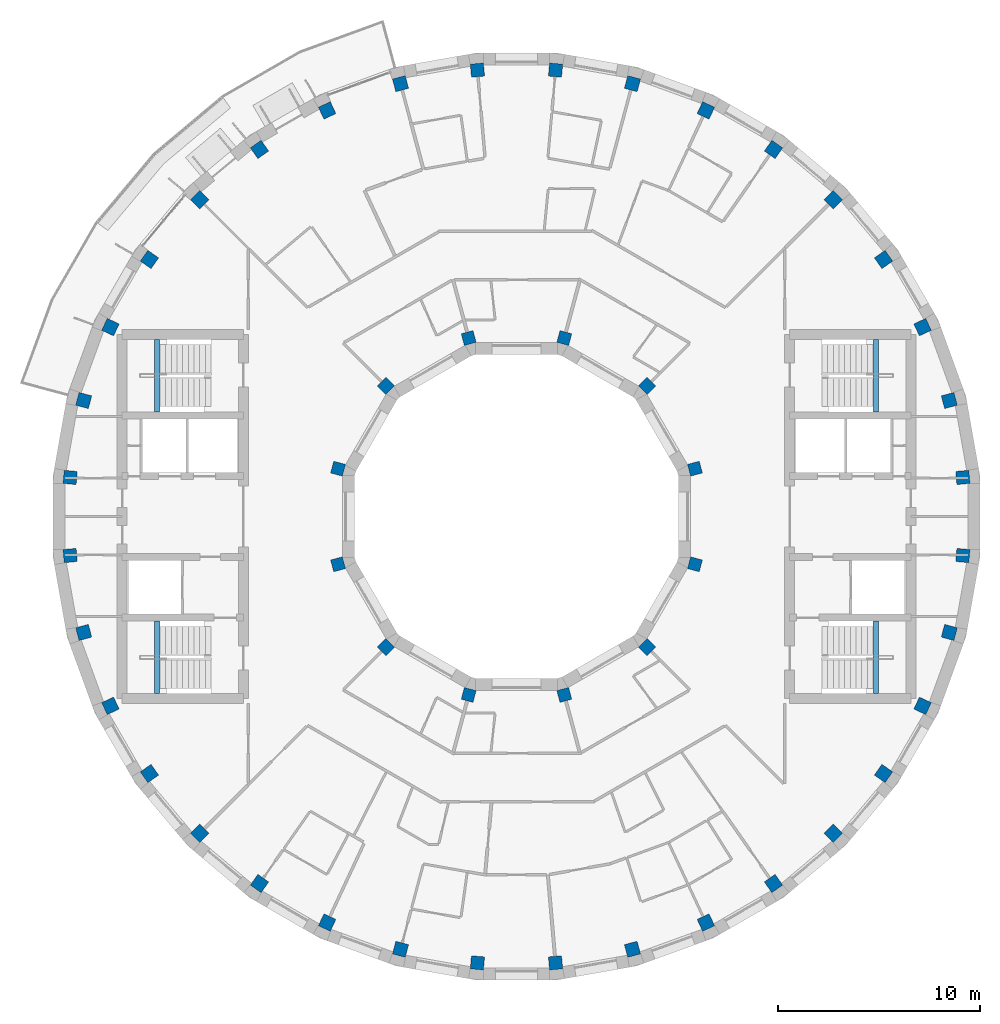
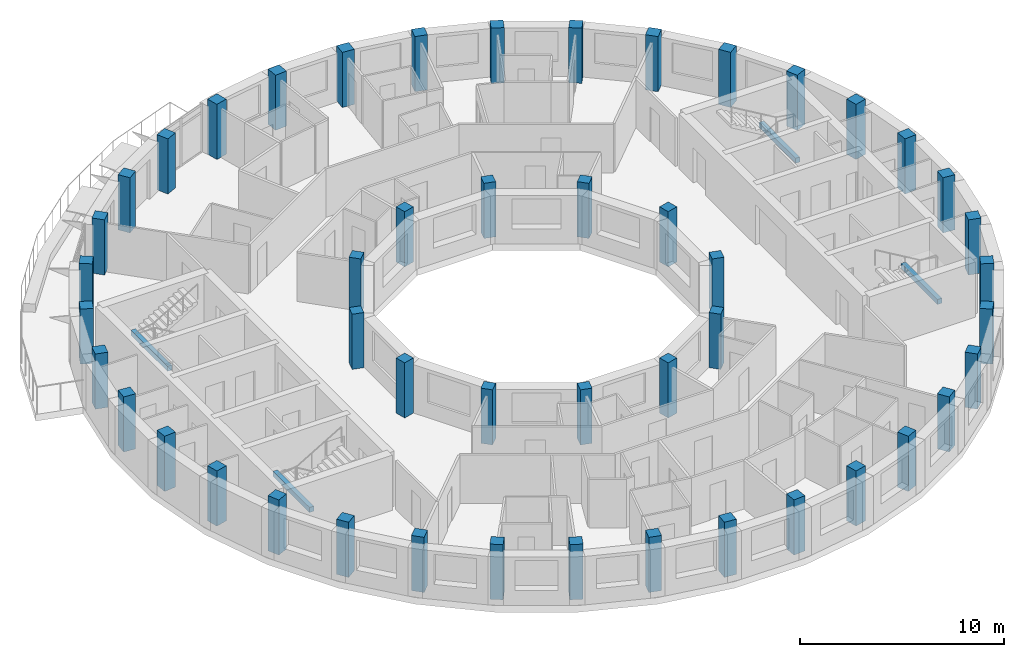
# One storey, part 1 of 12: 48 columns, 4 beams.
"""IFC4 building model written with IfcOpenShell, lengths in metres."""

from ifc_helpers import new_model, si_unit, direction, frame, origin, origin_2d, place, context, subcontext, project, spatial, rectangle, extrude, material, material_profile, profile_set, type_object, element, save


model = new_model("IFC4")

# Units and contexts
model_context = context("Model", 3, precision=1e-05, world=origin(), true_north=direction((0.0, 1.0)))
body_context = subcontext(model_context, "Body", "Model", "MODEL_VIEW")
ifc_project = project(units=[si_unit("LENGTHUNIT", "METRE"), si_unit("AREAUNIT", "SQUARE_METRE"), si_unit("VOLUMEUNIT", "CUBIC_METRE"), si_unit("PLANEANGLEUNIT", "RADIAN"), si_unit("MASSUNIT", "GRAM", prefix="KILO")], contexts=[model_context])

# Site, building, storey
site_placement = place(None, origin())
site = spatial("IfcSite", under=ifc_project, at=site_placement, CompositionType="ELEMENT")
building_placement = place(site_placement, origin())
building = spatial("IfcBuilding", under=site, at=building_placement, Name="Saqina Gate Tower", CompositionType="ELEMENT")
storey_placement = place(building_placement, frame((0.0, 0.0, 229.699951171875)))
storey = spatial("IfcBuildingStorey", under=building, at=storey_placement, Name="L65", CompositionType="ELEMENT", Elevation=229.699951171875)

# Columns
ifc_material_1 = material(Name="Concrete C60/75", Category="concrete")
ifc_material_profile_1 = material_profile(ifc_material_1, rectangle(XDim=0.60009765625, YDim=0.60009765625, at=origin_2d()), Name="RC 600x600")
ifc_profile_set_1 = profile_set([ifc_material_profile_1], Name="Concrete C60/75")
column_type_1 = type_object("IfcColumnType", Name="STR-COL-IN-D", PredefinedType="COLUMN", material=ifc_profile_set_1)
for number, where, z_axis, x_axis, name in (
    (1, (8.821044921875, 2.363525390625, 0.0), (0.0, 0.0, 1.0), (0.965925826289, 0.258819045103, 0.0), "L65-ICL01"),
    (2, (6.45751953125, 6.45751953125, 0.0), (0.0, 0.0, 1.0), (0.707106781187, 0.707106781187, 0.0), "L65-ICL02"),
    (3, (2.363525390625, 8.821044921875, 0.0), (0.0, 0.0, 1.0), (0.258819045103, 0.965925826289, 0.0), "L65-ICL03"),
    (4, (-2.363525390625, 8.821044921875, 0.0), (0.0, 0.0, 1.0), (-0.258819045103, 0.965925826289, 0.0), "L65-ICL04"),
    (5, (-6.45751953125, 6.45751953125, 0.0), (0.0, 0.0, 1.0), (-0.707106781187, 0.707106781187, 0.0), "L65-ICL05"),
    (6, (-8.821044921875, 2.363525390625, 0.0), (0.0, 0.0, 1.0), (-0.965925826289, 0.258819045103, 0.0), "L65-ICL06"),
    (7, (-8.821044921875, -2.363525390625, 0.0), (0.0, 0.0, 1.0), (-0.965925826289, -0.258819045103, 0.0), "L65-ICL07"),
    (8, (-6.45751953125, -6.45751953125, 0.0), (0.0, 0.0, 1.0), (-0.707106781187, -0.707106781187, 0.0), "L65-ICL08"),
    (9, (-2.363525390625, -8.821044921875, 0.0), (0.0, 0.0, 1.0), (-0.258819045103, -0.965925826289, 0.0), "L65-ICL09"),
    (10, (2.363525390625, -8.821044921875, 0.0), (0.0, 0.0, 1.0), (0.258819045103, -0.965925826289, 0.0), "L65-ICL10"),
    (11, (6.45751953125, -6.45751953125, 0.0), (0.0, 0.0, 1.0), (0.707106781187, -0.707106781187, 0.0), "L65-ICL11"),
    (12, (8.821044921875, -2.363525390625, 0.0), (0.0, 0.0, 1.0), (0.965925826289, -0.258819045103, 0.0), "L65-ICL12"),
):
    element("IfcColumn", number, at=place(storey_placement, frame(where, z_axis=z_axis, x_axis=x_axis)), inside=storey, type_object=column_type_1, Name=name, PredefinedType="COLUMN", context=body_context, shape_type="SweptSolid", body=[
        extrude(rectangle(XDim=0.60009765625, YDim=0.60009765625, at=origin_2d()), origin(), (0.0, 0.0, 1.0), 3.300048828125),
    ])
ifc_material_2 = material(Name="Concrete C60/75", Category="concrete")
ifc_material_profile_2 = material_profile(ifc_material_2, rectangle(XDim=0.64990234375, YDim=0.64990234375, at=origin_2d()), Name="RC 650x650")
ifc_profile_set_2 = profile_set([ifc_material_profile_2], Name="Concrete C60/75")
column_type_2 = type_object("IfcColumnType", Name="STR-COL-OUT-D", PredefinedType="COLUMN", material=ifc_profile_set_2)
for number, where, z_axis, x_axis, name in (
    (13, (22.065673828125, 1.930419921875, 0.0), (0.0, 0.0, 1.0), (0.996194698092, 0.087155742748, 0.0), "L65-COL01"),
    (14, (21.395263671875, 5.73291015625, 0.0), (0.0, 0.0, 1.0), (0.965925826289, 0.258819045103, 0.0), "L65-COL02"),
    (15, (20.07470703125, 9.361083984375, 0.0), (0.0, 0.0, 1.0), (0.906307787037, 0.422618261741, 0.0), "L65-COL03"),
    (16, (18.144287109375, 12.704833984375, 0.0), (0.0, 0.0, 1.0), (0.819152044289, 0.573576436351, 0.0), "L65-COL04"),
    (17, (15.662353515625, 15.662353515625, 0.0), (0.0, 0.0, 1.0), (0.707106781187, 0.707106781187, 0.0), "L65-COL05"),
    (18, (12.704833984375, 18.144287109375, 0.0), (0.0, 0.0, 1.0), (0.573576436351, 0.819152044289, 0.0), "L65-COL06"),
    (19, (9.361083984375, 20.07470703125, 0.0), (0.0, 0.0, 1.0), (0.422618261741, 0.906307787037, 0.0), "L65-COL07"),
    (20, (5.73291015625, 21.395263671875, 0.0), (0.0, 0.0, 1.0), (0.258819045103, 0.965925826289, 0.0), "L65-COL08"),
    (21, (1.930419921875, 22.065673828125, 0.0), (0.0, 0.0, 1.0), (0.087155742748, 0.996194698092, 0.0), "L65-COL09"),
    (22, (-1.930419921875, 22.065673828125, 0.0), (0.0, 0.0, 1.0), (-0.087155742748, 0.996194698092, 0.0), "L65-COL10"),
    (23, (-5.73291015625, 21.395263671875, 0.0), (0.0, 0.0, 1.0), (-0.258819045103, 0.965925826289, 0.0), "L65-COL11"),
    (24, (-9.361083984375, 20.07470703125, 0.0), (0.0, 0.0, 1.0), (-0.422618261741, 0.906307787037, 0.0), "L65-COL12"),
    (25, (-12.704833984375, 18.144287109375, 0.0), (0.0, 0.0, 1.0), (-0.573576436351, 0.819152044289, 0.0), "L65-COL13"),
    (26, (-15.662353515625, 15.662353515625, 0.0), (0.0, 0.0, 1.0), (-0.707106781187, 0.707106781187, 0.0), "L65-COL14"),
    (27, (-18.144287109375, 12.704833984375, 0.0), (0.0, 0.0, 1.0), (-0.819152044289, 0.573576436351, 0.0), "L65-COL15"),
    (28, (-20.07470703125, 9.361083984375, 0.0), (0.0, 0.0, 1.0), (-0.906307787037, 0.422618261741, 0.0), "L65-COL16"),
    (29, (-21.395263671875, 5.73291015625, 0.0), (0.0, 0.0, 1.0), (-0.965925826289, 0.258819045103, 0.0), "L65-COL17"),
    (30, (-22.065673828125, 1.930419921875, 0.0), (0.0, 0.0, 1.0), (-0.996194698092, 0.087155742748, 0.0), "L65-COL18"),
    (31, (-22.065673828125, -1.930419921875, 0.0), (0.0, 0.0, 1.0), (-0.996194698092, -0.087155742748, 0.0), "L65-COL19"),
    (32, (-21.395263671875, -5.73291015625, 0.0), (0.0, 0.0, 1.0), (-0.965925826289, -0.258819045103, 0.0), "L65-COL20"),
    (33, (-20.07470703125, -9.361083984375, 0.0), (0.0, 0.0, 1.0), (-0.906307787037, -0.422618261741, 0.0), "L65-COL21"),
    (34, (-18.144287109375, -12.704833984375, 0.0), (0.0, 0.0, 1.0), (-0.819152044289, -0.573576436351, 0.0), "L65-COL22"),
    (35, (-15.662353515625, -15.662353515625, 0.0), (0.0, 0.0, 1.0), (-0.707106781187, -0.707106781187, 0.0), "L65-COL23"),
    (36, (-12.704833984375, -18.144287109375, 0.0), (0.0, 0.0, 1.0), (-0.573576436351, -0.819152044289, 0.0), "L65-COL24"),
    (37, (-9.361083984375, -20.07470703125, 0.0), (0.0, 0.0, 1.0), (-0.422618261741, -0.906307787037, 0.0), "L65-COL25"),
    (38, (-5.73291015625, -21.395263671875, 0.0), (0.0, 0.0, 1.0), (-0.258819045103, -0.965925826289, 0.0), "L65-COL26"),
    (39, (-1.930419921875, -22.065673828125, 0.0), (0.0, 0.0, 1.0), (-0.087155742748, -0.996194698092, 0.0), "L65-COL27"),
    (40, (1.930419921875, -22.065673828125, 0.0), (0.0, 0.0, 1.0), (0.087155742748, -0.996194698092, 0.0), "L65-COL28"),
    (41, (5.73291015625, -21.395263671875, 0.0), (0.0, 0.0, 1.0), (0.258819045103, -0.965925826289, 0.0), "L65-COL29"),
    (42, (9.361083984375, -20.07470703125, 0.0), (0.0, 0.0, 1.0), (0.422618261741, -0.906307787037, 0.0), "L65-COL30"),
    (43, (12.704833984375, -18.144287109375, 0.0), (0.0, 0.0, 1.0), (0.573576436351, -0.819152044289, 0.0), "L65-COL31"),
    (44, (15.662353515625, -15.662353515625, 0.0), (0.0, 0.0, 1.0), (0.707106781187, -0.707106781187, 0.0), "L65-COL32"),
    (45, (18.144287109375, -12.704833984375, 0.0), (0.0, 0.0, 1.0), (0.819152044289, -0.573576436351, 0.0), "L65-COL33"),
    (46, (20.07470703125, -9.361083984375, 0.0), (0.0, 0.0, 1.0), (0.906307787037, -0.422618261741, 0.0), "L65-COL34"),
    (47, (21.395263671875, -5.73291015625, 0.0), (0.0, 0.0, 1.0), (0.965925826289, -0.258819045103, 0.0), "L65-COL35"),
    (48, (22.065673828125, -1.930419921875, 0.0), (0.0, 0.0, 1.0), (0.996194698092, -0.087155742748, 0.0), "L65-COL36"),
):
    element("IfcColumn", number, at=place(storey_placement, frame(where, z_axis=z_axis, x_axis=x_axis)), inside=storey, type_object=column_type_2, Name=name, PredefinedType="COLUMN", context=body_context, shape_type="SweptSolid", body=[
        extrude(rectangle(XDim=0.64990234375, YDim=0.64990234375, at=origin_2d()), origin(), (0.0, 0.0, 1.0), 3.300048828125),
    ])

# Beams
ifc_material_3 = material(Name="Concrete C40/50", Category="concrete")
ifc_material_profile_3 = material_profile(ifc_material_3, rectangle(XDim=0.25, YDim=0.300048828125, at=origin_2d()), Name="STAIR LANDING BEAM")
ifc_profile_set_3 = profile_set([ifc_material_profile_3], Name="Concrete C40/50")
beam_type = type_object("IfcBeamType", Name="STAIR LANDING BEAM", PredefinedType="BEAM", material=ifc_profile_set_3)
for number, where, z_axis, x_axis, name in (
    (49, (17.77001953125, 5.175048828125, 1.25), (0.0, 1.0, 0.0), (-1.0, 0.0, 0.0), "EXIT STAIR 1 LANDING BEAM"),
    (50, (17.77001953125, -8.75, 1.25), (0.0, 1.0, 0.0), (-1.0, 0.0, 0.0), "EXIT STAIR 2 LANDING BEAM"),
    (51, (-17.77001953125, 5.175048828125, 1.25), (0.0, 1.0, 0.0), (-1.0, 0.0, 0.0), "EXIT STAIR 3 LANDING BEAM"),
    (52, (-17.77001953125, -8.75, 1.25), (0.0, 1.0, 0.0), (-1.0, 0.0, 0.0), "EXIT STAIR 4 LANDING BEAM"),
):
    element("IfcBeam", number, at=place(storey_placement, frame(where, z_axis=z_axis, x_axis=x_axis)), inside=storey, type_object=beam_type, Name=name, PredefinedType="BEAM", context=body_context, shape_type="SweptSolid", body=[
        extrude(rectangle(XDim=0.25, YDim=0.300048828125, at=origin_2d()), origin(), (0.0, 0.0, 1.0), 3.574951171875),
    ])

save(model, "model.ifc")
